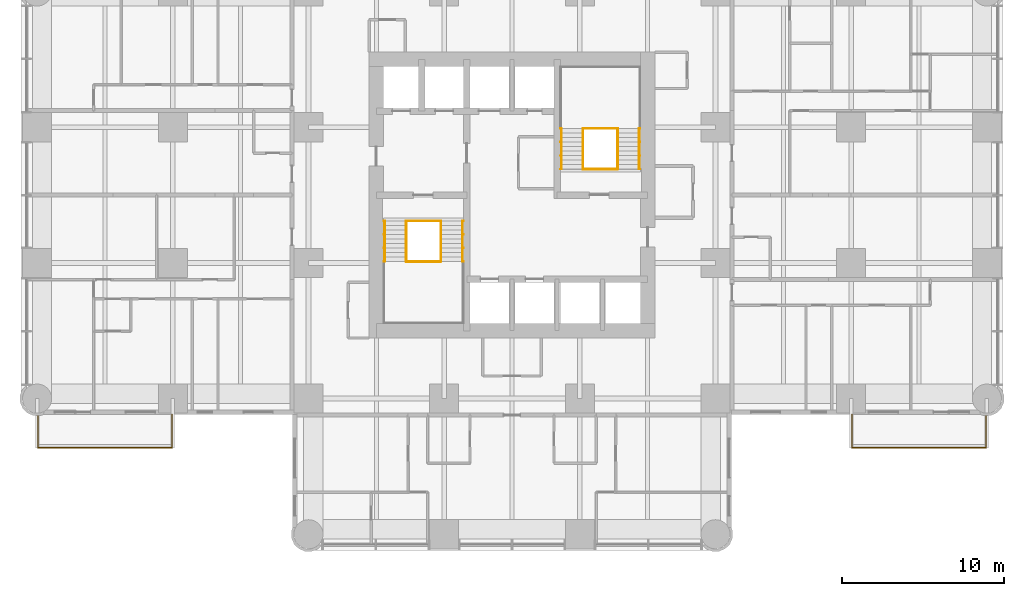
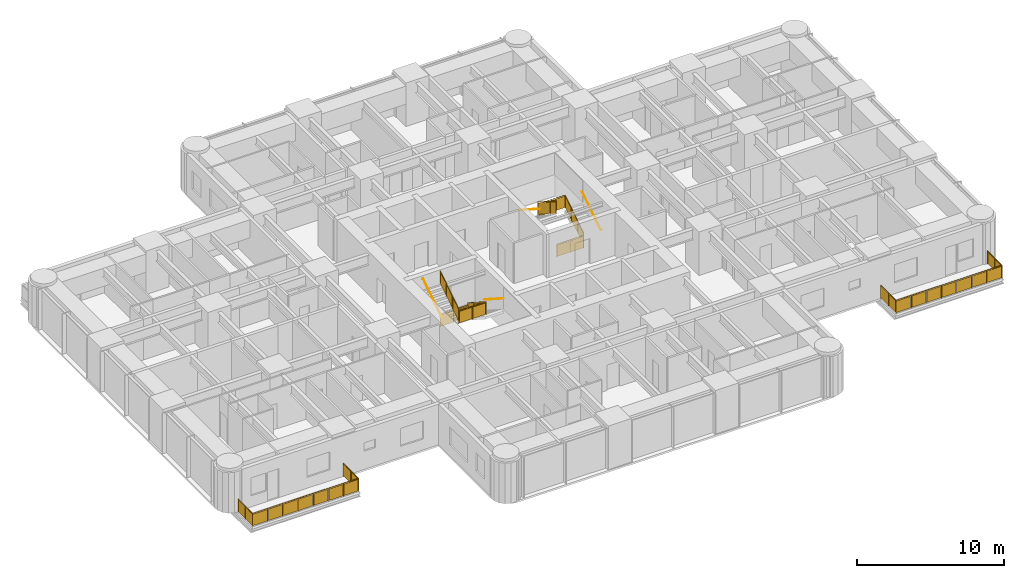
# One storey, part 13 of 14: 14 railings.
"""IFC4 building model written with IfcOpenShell, lengths in metres."""

from ifc_helpers import new_model, si_unit, direction, frame, origin, origin_2d, place, context, subcontext, project, spatial, polyline, circle, outline, extrude, material, constituent, constituent_set, type_object, element, save


model = new_model("IFC4")

# Units and contexts
model_context = context("Model", 3, precision=1e-05, world=origin(), true_north=direction((0.0, 1.0)))
body_context = subcontext(model_context, "Body", "Model", "MODEL_VIEW")
ifc_project = project(units=[si_unit("LENGTHUNIT", "METRE"), si_unit("AREAUNIT", "SQUARE_METRE"), si_unit("VOLUMEUNIT", "CUBIC_METRE"), si_unit("PLANEANGLEUNIT", "RADIAN"), si_unit("MASSUNIT", "GRAM", prefix="KILO")], contexts=[model_context])

# Site, building, storey
site_placement = place(None, origin())
site = spatial("IfcSite", under=ifc_project, at=site_placement, CompositionType="ELEMENT")
building_placement = place(site_placement, origin())
building = spatial("IfcBuilding", under=site, at=building_placement, Name="Torre Alcanfor", CompositionType="ELEMENT")
storey_placement = place(building_placement, frame((0.0, 0.0, 173.699951171875)))
storey = spatial("IfcBuildingStorey", under=building, at=storey_placement, Name="L45", CompositionType="ELEMENT", Elevation=173.699951171875)

# Railings
ifc_material_1 = material(Name="Laminated safety glass", Category="glass")
ifc_constituent_1 = constituent(ifc_material_1, Name="Infill")
ifc_material_2 = material(Name="Stainless steel ASTM A554 Grade MT 316L tube", Category="steel")
ifc_constituent_2 = constituent(ifc_material_2, Name="Posts and rail")
ifc_constituent_set = constituent_set(constituents=[ifc_constituent_1, ifc_constituent_2], Name="Balcony guard glass 1100")
railing_type_1 = type_object("IfcRailingType", Name="Balcony guard glass 1100", PredefinedType="BALUSTRADE", material=ifc_constituent_set)
railing_1_placement = place(storey_placement, frame((50.449951171875, 15.800048828125, 0.0)))
element("IfcRailing", 1, at=railing_1_placement, inside=storey, type_object=railing_type_1, Name="Balcony guard L45-E2", PredefinedType="BALUSTRADE", context=body_context, shape_type="SweptSolid", body=[
    extrude(circle(Radius=0.02392578125, at=origin_2d()), frame((0.0, 0.0, 1.076171875), z_axis=(0.0, -1.0, 0.0), x_axis=(1.0, 0.0, 0.0)), (0.0, 0.0, 1.0), 2.050048828125),
    extrude(circle(Radius=0.02392578125, at=origin_2d()), frame((0.0, -2.050048828125, 1.076171875), z_axis=(1.0, 0.0, 0.0), x_axis=(0.0, 1.0, 0.0)), (0.0, 0.0, 1.0), 8.300048828125),
    extrude(circle(Radius=0.02392578125, at=origin_2d()), frame((8.300048828125, -2.050048828125, 1.076171875), z_axis=(0.0, 1.0, 0.0), x_axis=(-1.0, 0.0, 0.0)), (0.0, 0.0, 1.0), 1.968994140625),
    extrude(circle(Radius=0.02099609375, at=origin_2d()), origin(), (0.0, 0.0, 1.0), 1.052001953125),
    extrude(circle(Radius=0.02099609375, at=origin_2d()), frame((0.0, -1.02490234375, 0.0)), (0.0, 0.0, 1.0), 1.052001953125),
    extrude(circle(Radius=0.02099609375, at=origin_2d()), frame((0.0, -2.050048828125, 0.0)), (0.0, 0.0, 1.0), 1.052001953125),
    extrude(circle(Radius=0.02099609375, at=origin_2d()), frame((1.185791015625, -2.050048828125, 0.0)), (0.0, 0.0, 1.0), 1.052001953125),
    extrude(circle(Radius=0.02099609375, at=origin_2d()), frame((2.371337890625, -2.050048828125, 0.0)), (0.0, 0.0, 1.0), 1.052001953125),
    extrude(circle(Radius=0.02099609375, at=origin_2d()), frame((3.55712890625, -2.050048828125, 0.0)), (0.0, 0.0, 1.0), 1.052001953125),
    extrude(circle(Radius=0.02099609375, at=origin_2d()), frame((4.742919921875, -2.050048828125, 0.0)), (0.0, 0.0, 1.0), 1.052001953125),
    extrude(circle(Radius=0.02099609375, at=origin_2d()), frame((5.9287109375, -2.050048828125, 0.0)), (0.0, 0.0, 1.0), 1.052001953125),
    extrude(circle(Radius=0.02099609375, at=origin_2d()), frame((7.1142578125, -2.050048828125, 0.0)), (0.0, 0.0, 1.0), 1.052001953125),
    extrude(circle(Radius=0.02099609375, at=origin_2d()), frame((8.300048828125, -2.050048828125, 0.0)), (0.0, 0.0, 1.0), 1.052001953125),
    extrude(circle(Radius=0.02099609375, at=origin_2d()), frame((8.300048828125, -1.0654296875, 0.0)), (0.0, 0.0, 1.0), 1.052001953125),
    extrude(circle(Radius=0.02099609375, at=origin_2d()), frame((8.300048828125, -0.0810546875, 0.0)), (0.0, 0.0, 1.0), 1.052001953125),
    extrude(outline(polyline([(0.041015625, 0.050048828125), (0.984130859375, 0.050048828125), (0.984130859375, 1.001953125), (0.041015625, 1.001953125), (0.041015625, 0.050048828125)])), frame((0.005859375, 0.0, 0.0), z_axis=(-1.0, 0.0, 0.0), x_axis=(0.0, -1.0, 0.0)), (0.0, 0.0, 1.0), 0.011962890625),
    extrude(outline(polyline([(1.06591796875, 0.050048828125), (2.009033203125, 0.050048828125), (2.009033203125, 1.001953125), (1.06591796875, 1.001953125), (1.06591796875, 0.050048828125)])), frame((0.005859375, 0.0, 0.0), z_axis=(-1.0, 0.0, 0.0), x_axis=(0.0, -1.0, 0.0)), (0.0, 0.0, 1.0), 0.011962890625),
    extrude(outline(polyline([(0.041015625, 0.050048828125), (1.144775390625, 0.050048828125), (1.144775390625, 1.001953125), (0.041015625, 1.001953125), (0.041015625, 0.050048828125)])), frame((0.0, -2.0439453125, 0.0), z_axis=(0.0, -1.0, 0.0), x_axis=(1.0, 0.0, 0.0)), (0.0, 0.0, 1.0), 0.011962890625),
    extrude(outline(polyline([(1.226806640625, 0.050048828125), (2.330322265625, 0.050048828125), (2.330322265625, 1.001953125), (1.226806640625, 1.001953125), (1.226806640625, 0.050048828125)])), frame((0.0, -2.0439453125, 0.0), z_axis=(0.0, -1.0, 0.0), x_axis=(1.0, 0.0, 0.0)), (0.0, 0.0, 1.0), 0.011962890625),
    extrude(outline(polyline([(2.412353515625, 0.050048828125), (3.51611328125, 0.050048828125), (3.51611328125, 1.001953125), (2.412353515625, 1.001953125), (2.412353515625, 0.050048828125)])), frame((0.0, -2.0439453125, 0.0), z_axis=(0.0, -1.0, 0.0), x_axis=(1.0, 0.0, 0.0)), (0.0, 0.0, 1.0), 0.011962890625),
    extrude(outline(polyline([(3.59814453125, 0.050048828125), (4.701904296875, 0.050048828125), (4.701904296875, 1.001953125), (3.59814453125, 1.001953125), (3.59814453125, 0.050048828125)])), frame((0.0, -2.0439453125, 0.0), z_axis=(0.0, -1.0, 0.0), x_axis=(1.0, 0.0, 0.0)), (0.0, 0.0, 1.0), 0.011962890625),
    extrude(outline(polyline([(4.783935546875, 0.050048828125), (5.8876953125, 0.050048828125), (5.8876953125, 1.001953125), (4.783935546875, 1.001953125), (4.783935546875, 0.050048828125)])), frame((0.0, -2.0439453125, 0.0), z_axis=(0.0, -1.0, 0.0), x_axis=(1.0, 0.0, 0.0)), (0.0, 0.0, 1.0), 0.011962890625),
    extrude(outline(polyline([(5.9697265625, 0.050048828125), (7.0732421875, 0.050048828125), (7.0732421875, 1.001953125), (5.9697265625, 1.001953125), (5.9697265625, 0.050048828125)])), frame((0.0, -2.0439453125, 0.0), z_axis=(0.0, -1.0, 0.0), x_axis=(1.0, 0.0, 0.0)), (0.0, 0.0, 1.0), 0.011962890625),
    extrude(outline(polyline([(7.1552734375, 0.050048828125), (8.259033203125, 0.050048828125), (8.259033203125, 1.001953125), (7.1552734375, 1.001953125), (7.1552734375, 0.050048828125)])), frame((0.0, -2.0439453125, 0.0), z_axis=(0.0, -1.0, 0.0), x_axis=(1.0, 0.0, 0.0)), (0.0, 0.0, 1.0), 0.011962890625),
    extrude(outline(polyline([(0.041015625, 0.050048828125), (0.943603515625, 0.050048828125), (0.943603515625, 1.001953125), (0.041015625, 1.001953125), (0.041015625, 0.050048828125)])), frame((8.2939453125, -2.050048828125, 0.0), z_axis=(1.0, 0.0, 0.0), x_axis=(0.0, 1.0, 0.0)), (0.0, 0.0, 1.0), 0.011962890625),
    extrude(outline(polyline([(1.025390625, 0.050048828125), (1.927978515625, 0.050048828125), (1.927978515625, 1.001953125), (1.025390625, 1.001953125), (1.025390625, 0.050048828125)])), frame((8.2939453125, -2.050048828125, 0.0), z_axis=(1.0, 0.0, 0.0), x_axis=(0.0, 1.0, 0.0)), (0.0, 0.0, 1.0), 0.011962890625),
])
railing_2_placement = place(storey_placement, frame((8.35009765625, 15.800048828125, 0.0)))
element("IfcRailing", 2, at=railing_2_placement, inside=storey, type_object=railing_type_1, Name="Balcony guard L45-W1", PredefinedType="BALUSTRADE", context=body_context, shape_type="SweptSolid", body=[
    extrude(circle(Radius=0.02392578125, at=origin_2d()), frame((0.0, 0.0, 1.076171875), z_axis=(0.0, -1.0, 0.0), x_axis=(1.0, 0.0, 0.0)), (0.0, 0.0, 1.0), 2.050048828125),
    extrude(circle(Radius=0.02392578125, at=origin_2d()), frame((0.0, -2.050048828125, 1.076171875), z_axis=(-1.0, 0.0, 0.0), x_axis=(0.0, -1.0, 0.0)), (0.0, 0.0, 1.0), 8.300048828125),
    extrude(circle(Radius=0.02392578125, at=origin_2d()), frame((-8.300048828125, -2.050048828125, 1.076171875), z_axis=(0.0, 1.0, 0.0), x_axis=(-1.0, 0.0, 0.0)), (0.0, 0.0, 1.0), 1.968994140625),
    extrude(circle(Radius=0.02099609375, at=origin_2d()), origin(), (0.0, 0.0, 1.0), 1.052001953125),
    extrude(circle(Radius=0.02099609375, at=origin_2d()), frame((0.0, -1.02490234375, 0.0)), (0.0, 0.0, 1.0), 1.052001953125),
    extrude(circle(Radius=0.02099609375, at=origin_2d()), frame((0.0, -2.050048828125, 0.0)), (0.0, 0.0, 1.0), 1.052001953125),
    extrude(circle(Radius=0.02099609375, at=origin_2d()), frame((-1.185791015625, -2.050048828125, 0.0)), (0.0, 0.0, 1.0), 1.052001953125),
    extrude(circle(Radius=0.02099609375, at=origin_2d()), frame((-2.371337890625, -2.050048828125, 0.0)), (0.0, 0.0, 1.0), 1.052001953125),
    extrude(circle(Radius=0.02099609375, at=origin_2d()), frame((-3.55712890625, -2.050048828125, 0.0)), (0.0, 0.0, 1.0), 1.052001953125),
    extrude(circle(Radius=0.02099609375, at=origin_2d()), frame((-4.742919921875, -2.050048828125, 0.0)), (0.0, 0.0, 1.0), 1.052001953125),
    extrude(circle(Radius=0.02099609375, at=origin_2d()), frame((-5.9287109375, -2.050048828125, 0.0)), (0.0, 0.0, 1.0), 1.052001953125),
    extrude(circle(Radius=0.02099609375, at=origin_2d()), frame((-7.1142578125, -2.050048828125, 0.0)), (0.0, 0.0, 1.0), 1.052001953125),
    extrude(circle(Radius=0.02099609375, at=origin_2d()), frame((-8.300048828125, -2.050048828125, 0.0)), (0.0, 0.0, 1.0), 1.052001953125),
    extrude(circle(Radius=0.02099609375, at=origin_2d()), frame((-8.300048828125, -1.0654296875, 0.0)), (0.0, 0.0, 1.0), 1.052001953125),
    extrude(circle(Radius=0.02099609375, at=origin_2d()), frame((-8.300048828125, -0.0810546875, 0.0)), (0.0, 0.0, 1.0), 1.052001953125),
    extrude(outline(polyline([(0.041015625, 0.050048828125), (0.984130859375, 0.050048828125), (0.984130859375, 1.001953125), (0.041015625, 1.001953125), (0.041015625, 0.050048828125)])), frame((0.005859375, 0.0, 0.0), z_axis=(-1.0, 0.0, 0.0), x_axis=(0.0, -1.0, 0.0)), (0.0, 0.0, 1.0), 0.011962890625),
    extrude(outline(polyline([(1.06591796875, 0.050048828125), (2.009033203125, 0.050048828125), (2.009033203125, 1.001953125), (1.06591796875, 1.001953125), (1.06591796875, 0.050048828125)])), frame((0.005859375, 0.0, 0.0), z_axis=(-1.0, 0.0, 0.0), x_axis=(0.0, -1.0, 0.0)), (0.0, 0.0, 1.0), 0.011962890625),
    extrude(outline(polyline([(0.041015625, 0.050048828125), (1.144775390625, 0.050048828125), (1.144775390625, 1.001953125), (0.041015625, 1.001953125), (0.041015625, 0.050048828125)])), frame((0.0, -2.05615234375, 0.0), z_axis=(0.0, 1.0, 0.0), x_axis=(-1.0, 0.0, 0.0)), (0.0, 0.0, 1.0), 0.011962890625),
    extrude(outline(polyline([(1.226806640625, 0.050048828125), (2.330322265625, 0.050048828125), (2.330322265625, 1.001953125), (1.226806640625, 1.001953125), (1.226806640625, 0.050048828125)])), frame((0.0, -2.05615234375, 0.0), z_axis=(0.0, 1.0, 0.0), x_axis=(-1.0, 0.0, 0.0)), (0.0, 0.0, 1.0), 0.011962890625),
    extrude(outline(polyline([(2.412353515625, 0.050048828125), (3.51611328125, 0.050048828125), (3.51611328125, 1.001953125), (2.412353515625, 1.001953125), (2.412353515625, 0.050048828125)])), frame((0.0, -2.05615234375, 0.0), z_axis=(0.0, 1.0, 0.0), x_axis=(-1.0, 0.0, 0.0)), (0.0, 0.0, 1.0), 0.011962890625),
    extrude(outline(polyline([(3.59814453125, 0.050048828125), (4.701904296875, 0.050048828125), (4.701904296875, 1.001953125), (3.59814453125, 1.001953125), (3.59814453125, 0.050048828125)])), frame((0.0, -2.05615234375, 0.0), z_axis=(0.0, 1.0, 0.0), x_axis=(-1.0, 0.0, 0.0)), (0.0, 0.0, 1.0), 0.011962890625),
    extrude(outline(polyline([(4.783935546875, 0.050048828125), (5.8876953125, 0.050048828125), (5.8876953125, 1.001953125), (4.783935546875, 1.001953125), (4.783935546875, 0.050048828125)])), frame((0.0, -2.05615234375, 0.0), z_axis=(0.0, 1.0, 0.0), x_axis=(-1.0, 0.0, 0.0)), (0.0, 0.0, 1.0), 0.011962890625),
    extrude(outline(polyline([(5.9697265625, 0.050048828125), (7.0732421875, 0.050048828125), (7.0732421875, 1.001953125), (5.9697265625, 1.001953125), (5.9697265625, 0.050048828125)])), frame((0.0, -2.05615234375, 0.0), z_axis=(0.0, 1.0, 0.0), x_axis=(-1.0, 0.0, 0.0)), (0.0, 0.0, 1.0), 0.011962890625),
    extrude(outline(polyline([(7.1552734375, 0.050048828125), (8.259033203125, 0.050048828125), (8.259033203125, 1.001953125), (7.1552734375, 1.001953125), (7.1552734375, 0.050048828125)])), frame((0.0, -2.05615234375, 0.0), z_axis=(0.0, 1.0, 0.0), x_axis=(-1.0, 0.0, 0.0)), (0.0, 0.0, 1.0), 0.011962890625),
    extrude(outline(polyline([(0.041015625, 0.050048828125), (0.943603515625, 0.050048828125), (0.943603515625, 1.001953125), (0.041015625, 1.001953125), (0.041015625, 0.050048828125)])), frame((-8.30615234375, -2.050048828125, 0.0), z_axis=(1.0, 0.0, 0.0), x_axis=(0.0, 1.0, 0.0)), (0.0, 0.0, 1.0), 0.011962890625),
    extrude(outline(polyline([(1.025390625, 0.050048828125), (1.927978515625, 0.050048828125), (1.927978515625, 1.001953125), (1.025390625, 1.001953125), (1.025390625, 0.050048828125)])), frame((-8.30615234375, -2.050048828125, 0.0), z_axis=(1.0, 0.0, 0.0), x_axis=(0.0, 1.0, 0.0)), (0.0, 0.0, 1.0), 0.011962890625),
])
ifc_material_3 = material(Name="Steel ASTM A500 Grade C hollow sections", Category="steel")
railing_type_2 = type_object("IfcRailingType", Name="Stair guard and handrail 1100", PredefinedType="GUARDRAIL", material=ifc_material_3)
railing_3_placement = place(storey_placement, frame((25.0, 27.800048828125, 0.179931640625)))
element("IfcRailing", 3, at=railing_3_placement, inside=storey, type_object=railing_type_2, Name="Stair guard S1 L45 flight 1", PredefinedType="GUARDRAIL", context=body_context, shape_type="SweptSolid", body=[
    extrude(circle(Radius=0.02392578125, at=origin_2d()), frame((0.0, 0.0, 1.076171875), z_axis=(0.0, -0.841162588446, 0.540782303519), x_axis=(1.0, 0.0, 0.0)), (0.0, 0.0, 1.0), 2.995849609375),
    extrude(circle(Radius=0.02099609375, at=origin_2d()), origin(), (0.0, 0.0, 1.0), 1.052001953125),
    extrude(circle(Radius=0.02099609375, at=origin_2d()), frame((0.0, -0.840087890625, 0.5400390625)), (0.0, 0.0, 1.0), 1.052001953125),
    extrude(circle(Radius=0.02099609375, at=origin_2d()), frame((0.0, -1.679931640625, 1.080078125)), (0.0, 0.0, 1.0), 1.052001953125),
    extrude(circle(Radius=0.02099609375, at=origin_2d()), frame((0.0, -2.52001953125, 1.6201171875)), (0.0, 0.0, 1.0), 1.052001953125),
    extrude(outline(polyline([(0.041015625, 0.076416015625), (0.799072265625, 0.563720703125), (0.799072265625, 1.515625), (0.041015625, 1.0283203125), (0.041015625, 0.076416015625)])), frame((0.005859375, 0.0, 0.0), z_axis=(-1.0, 0.0, 0.0), x_axis=(0.0, -1.0, 0.0)), (0.0, 0.0, 1.0), 0.011962890625),
    extrude(outline(polyline([(0.881103515625, 0.616455078125), (1.638916015625, 1.103759765625), (1.638916015625, 2.0556640625), (0.881103515625, 1.568359375), (0.881103515625, 0.616455078125)])), frame((0.005859375, 0.0, 0.0), z_axis=(-1.0, 0.0, 0.0), x_axis=(0.0, -1.0, 0.0)), (0.0, 0.0, 1.0), 0.011962890625),
    extrude(outline(polyline([(1.720947265625, 1.156494140625), (2.47900390625, 1.643798828125), (2.47900390625, 2.595703125), (1.720947265625, 2.1083984375), (1.720947265625, 1.156494140625)])), frame((0.005859375, 0.0, 0.0), z_axis=(-1.0, 0.0, 0.0), x_axis=(0.0, -1.0, 0.0)), (0.0, 0.0, 1.0), 0.011962890625),
])
railing_4_placement = place(storey_placement, frame((22.85009765625, 25.280029296875, 1.97998046875)))
element("IfcRailing", 4, at=railing_4_placement, inside=storey, type_object=railing_type_2, Name="Stair guard S1 L45 flight 2", PredefinedType="GUARDRAIL", context=body_context, shape_type="SweptSolid", body=[
    extrude(circle(Radius=0.02392578125, at=origin_2d()), frame((0.0, 0.0, 1.076171875), z_axis=(0.0, 0.841162588446, 0.540782303519), x_axis=(-1.0, 0.0, 0.0)), (0.0, 0.0, 1.0), 2.995849609375),
    extrude(circle(Radius=0.02099609375, at=origin_2d()), origin(), (0.0, 0.0, 1.0), 1.052001953125),
    extrude(circle(Radius=0.02099609375, at=origin_2d()), frame((0.0, 0.840087890625, 0.5400390625)), (0.0, 0.0, 1.0), 1.052001953125),
    extrude(circle(Radius=0.02099609375, at=origin_2d()), frame((0.0, 1.679931640625, 1.080078125)), (0.0, 0.0, 1.0), 1.052001953125),
    extrude(circle(Radius=0.02099609375, at=origin_2d()), frame((0.0, 2.52001953125, 1.6201171875)), (0.0, 0.0, 1.0), 1.052001953125),
    extrude(outline(polyline([(0.041015625, 0.076416015625), (0.799072265625, 0.563720703125), (0.799072265625, 1.515625), (0.041015625, 1.0283203125), (0.041015625, 0.076416015625)])), frame((-0.005859375, 0.0, 0.0), z_axis=(1.0, 0.0, 0.0), x_axis=(0.0, 1.0, 0.0)), (0.0, 0.0, 1.0), 0.011962890625),
    extrude(outline(polyline([(0.881103515625, 0.616455078125), (1.638916015625, 1.103759765625), (1.638916015625, 2.0556640625), (0.881103515625, 1.568359375), (0.881103515625, 0.616455078125)])), frame((-0.005859375, 0.0, 0.0), z_axis=(1.0, 0.0, 0.0), x_axis=(0.0, 1.0, 0.0)), (0.0, 0.0, 1.0), 0.011962890625),
    extrude(outline(polyline([(1.720947265625, 1.156494140625), (2.47900390625, 1.643798828125), (2.47900390625, 2.595703125), (1.720947265625, 2.1083984375), (1.720947265625, 1.156494140625)])), frame((-0.005859375, 0.0, 0.0), z_axis=(1.0, 0.0, 0.0), x_axis=(0.0, 1.0, 0.0)), (0.0, 0.0, 1.0), 0.011962890625),
])
for number, where, name in (
    (5, (22.85009765625, 27.800048828125, 0.0), "Stair well guard S1 L45 floor landing"),
    (6, (22.85009765625, 25.280029296875, 1.800048828125), "Stair well guard S1 L45 half landing"),
):
    element("IfcRailing", number, at=place(storey_placement, frame(where)), inside=storey, type_object=railing_type_2, Name=name, PredefinedType="GUARDRAIL", context=body_context, shape_type="SweptSolid", body=[
        extrude(circle(Radius=0.02392578125, at=origin_2d()), frame((0.0, 0.0, 1.076171875), z_axis=(1.0, 0.0, 0.0), x_axis=(0.0, 1.0, 0.0)), (0.0, 0.0, 1.0), 2.14990234375),
        extrude(circle(Radius=0.02099609375, at=origin_2d()), origin(), (0.0, 0.0, 1.0), 1.052001953125),
        extrude(circle(Radius=0.02099609375, at=origin_2d()), frame((1.074951171875, 0.0, 0.0)), (0.0, 0.0, 1.0), 1.052001953125),
        extrude(circle(Radius=0.02099609375, at=origin_2d()), frame((2.14990234375, 0.0, 0.0)), (0.0, 0.0, 1.0), 1.052001953125),
        extrude(outline(polyline([(0.041015625, 0.050048828125), (1.033935546875, 0.050048828125), (1.033935546875, 1.001953125), (0.041015625, 1.001953125), (0.041015625, 0.050048828125)])), frame((0.0, 0.005859375, 0.0), z_axis=(0.0, -1.0, 0.0), x_axis=(1.0, 0.0, 0.0)), (0.0, 0.0, 1.0), 0.011962890625),
        extrude(outline(polyline([(1.115966796875, 0.050048828125), (2.10888671875, 0.050048828125), (2.10888671875, 1.001953125), (1.115966796875, 1.001953125), (1.115966796875, 0.050048828125)])), frame((0.0, 0.005859375, 0.0), z_axis=(0.0, -1.0, 0.0), x_axis=(1.0, 0.0, 0.0)), (0.0, 0.0, 1.0), 0.011962890625),
    ])
railing_5_placement = place(storey_placement, frame((35.949951171875, 31.0, 0.179931640625)))
element("IfcRailing", 7, at=railing_5_placement, inside=storey, type_object=railing_type_2, Name="Stair guard S2 L45 flight 1", PredefinedType="GUARDRAIL", context=body_context, shape_type="SweptSolid", body=[
    extrude(circle(Radius=0.02392578125, at=origin_2d()), frame((0.0, 0.0, 1.076171875), z_axis=(0.0, 0.841162588446, 0.540782303519), x_axis=(-1.0, 0.0, 0.0)), (0.0, 0.0, 1.0), 2.995849609375),
    extrude(circle(Radius=0.02099609375, at=origin_2d()), origin(), (0.0, 0.0, 1.0), 1.052001953125),
    extrude(circle(Radius=0.02099609375, at=origin_2d()), frame((0.0, 0.840087890625, 0.5400390625)), (0.0, 0.0, 1.0), 1.052001953125),
    extrude(circle(Radius=0.02099609375, at=origin_2d()), frame((0.0, 1.679931640625, 1.080078125)), (0.0, 0.0, 1.0), 1.052001953125),
    extrude(circle(Radius=0.02099609375, at=origin_2d()), frame((0.0, 2.52001953125, 1.6201171875)), (0.0, 0.0, 1.0), 1.052001953125),
    extrude(outline(polyline([(0.041015625, 0.076416015625), (0.799072265625, 0.563720703125), (0.799072265625, 1.515625), (0.041015625, 1.0283203125), (0.041015625, 0.076416015625)])), frame((-0.005859375, 0.0, 0.0), z_axis=(1.0, 0.0, 0.0), x_axis=(0.0, 1.0, 0.0)), (0.0, 0.0, 1.0), 0.011962890625),
    extrude(outline(polyline([(0.881103515625, 0.616455078125), (1.638916015625, 1.103759765625), (1.638916015625, 2.0556640625), (0.881103515625, 1.568359375), (0.881103515625, 0.616455078125)])), frame((-0.005859375, 0.0, 0.0), z_axis=(1.0, 0.0, 0.0), x_axis=(0.0, 1.0, 0.0)), (0.0, 0.0, 1.0), 0.011962890625),
    extrude(outline(polyline([(1.720947265625, 1.156494140625), (2.47900390625, 1.643798828125), (2.47900390625, 2.595703125), (1.720947265625, 2.1083984375), (1.720947265625, 1.156494140625)])), frame((-0.005859375, 0.0, 0.0), z_axis=(1.0, 0.0, 0.0), x_axis=(0.0, 1.0, 0.0)), (0.0, 0.0, 1.0), 0.011962890625),
])
railing_6_placement = place(storey_placement, frame((33.800048828125, 33.52001953125, 1.97998046875)))
element("IfcRailing", 8, at=railing_6_placement, inside=storey, type_object=railing_type_2, Name="Stair guard S2 L45 flight 2", PredefinedType="GUARDRAIL", context=body_context, shape_type="SweptSolid", body=[
    extrude(circle(Radius=0.02392578125, at=origin_2d()), frame((0.0, 0.0, 1.076171875), z_axis=(0.0, -0.841162588446, 0.540782303519), x_axis=(1.0, 0.0, 0.0)), (0.0, 0.0, 1.0), 2.995849609375),
    extrude(circle(Radius=0.02099609375, at=origin_2d()), origin(), (0.0, 0.0, 1.0), 1.052001953125),
    extrude(circle(Radius=0.02099609375, at=origin_2d()), frame((0.0, -0.840087890625, 0.5400390625)), (0.0, 0.0, 1.0), 1.052001953125),
    extrude(circle(Radius=0.02099609375, at=origin_2d()), frame((0.0, -1.679931640625, 1.080078125)), (0.0, 0.0, 1.0), 1.052001953125),
    extrude(circle(Radius=0.02099609375, at=origin_2d()), frame((0.0, -2.52001953125, 1.6201171875)), (0.0, 0.0, 1.0), 1.052001953125),
    extrude(outline(polyline([(0.041015625, 0.076416015625), (0.799072265625, 0.563720703125), (0.799072265625, 1.515625), (0.041015625, 1.0283203125), (0.041015625, 0.076416015625)])), frame((0.005859375, 0.0, 0.0), z_axis=(-1.0, 0.0, 0.0), x_axis=(0.0, -1.0, 0.0)), (0.0, 0.0, 1.0), 0.011962890625),
    extrude(outline(polyline([(0.881103515625, 0.616455078125), (1.638916015625, 1.103759765625), (1.638916015625, 2.0556640625), (0.881103515625, 1.568359375), (0.881103515625, 0.616455078125)])), frame((0.005859375, 0.0, 0.0), z_axis=(-1.0, 0.0, 0.0), x_axis=(0.0, -1.0, 0.0)), (0.0, 0.0, 1.0), 0.011962890625),
    extrude(outline(polyline([(1.720947265625, 1.156494140625), (2.47900390625, 1.643798828125), (2.47900390625, 2.595703125), (1.720947265625, 2.1083984375), (1.720947265625, 1.156494140625)])), frame((0.005859375, 0.0, 0.0), z_axis=(-1.0, 0.0, 0.0), x_axis=(0.0, -1.0, 0.0)), (0.0, 0.0, 1.0), 0.011962890625),
])
for number, where, name in (
    (9, (33.800048828125, 31.0, 0.0), "Stair well guard S2 L45 floor landing"),
    (10, (33.800048828125, 33.52001953125, 1.800048828125), "Stair well guard S2 L45 half landing"),
):
    element("IfcRailing", number, at=place(storey_placement, frame(where)), inside=storey, type_object=railing_type_2, Name=name, PredefinedType="GUARDRAIL", context=body_context, shape_type="SweptSolid", body=[
        extrude(circle(Radius=0.02392578125, at=origin_2d()), frame((0.0, 0.0, 1.076171875), z_axis=(1.0, 0.0, 0.0), x_axis=(0.0, 1.0, 0.0)), (0.0, 0.0, 1.0), 2.14990234375),
        extrude(circle(Radius=0.02099609375, at=origin_2d()), origin(), (0.0, 0.0, 1.0), 1.052001953125),
        extrude(circle(Radius=0.02099609375, at=origin_2d()), frame((1.074951171875, 0.0, 0.0)), (0.0, 0.0, 1.0), 1.052001953125),
        extrude(circle(Radius=0.02099609375, at=origin_2d()), frame((2.14990234375, 0.0, 0.0)), (0.0, 0.0, 1.0), 1.052001953125),
        extrude(outline(polyline([(0.041015625, 0.050048828125), (1.033935546875, 0.050048828125), (1.033935546875, 1.001953125), (0.041015625, 1.001953125), (0.041015625, 0.050048828125)])), frame((0.0, 0.005859375, 0.0), z_axis=(0.0, -1.0, 0.0), x_axis=(1.0, 0.0, 0.0)), (0.0, 0.0, 1.0), 0.011962890625),
        extrude(outline(polyline([(1.115966796875, 0.050048828125), (2.10888671875, 0.050048828125), (2.10888671875, 1.001953125), (1.115966796875, 1.001953125), (1.115966796875, 0.050048828125)])), frame((0.0, 0.005859375, 0.0), z_axis=(0.0, -1.0, 0.0), x_axis=(1.0, 0.0, 0.0)), (0.0, 0.0, 1.0), 0.011962890625),
    ])
ifc_material_4 = material(Name="Steel ASTM A500 Grade C hollow sections", Category="steel")
railing_type_3 = type_object("IfcRailingType", Name="Stair wall handrail 900", PredefinedType="HANDRAIL", material=ifc_material_4)
railing_7_placement = place(storey_placement, frame((26.3349609375, 27.800048828125, 0.179931640625)))
element("IfcRailing", 11, at=railing_7_placement, inside=storey, type_object=railing_type_3, Name="Stair handrail S1 L45 flight 1", PredefinedType="HANDRAIL", context=body_context, shape_type="SweptSolid", body=[
    extrude(circle(Radius=0.02392578125, at=origin_2d()), frame((0.0, 0.0, 0.8759765625), z_axis=(0.0, -0.841162588446, 0.540782303519), x_axis=(1.0, 0.0, 0.0)), (0.0, 0.0, 1.0), 2.995849609375),
    extrude(circle(Radius=0.008056640625, at=origin_2d()), frame((0.0, 0.0, 0.8759765625), z_axis=(1.0, 0.0, 0.0), x_axis=(0.0, 0.0, 1.0)), (0.0, 0.0, 1.0), 0.06494140625),
    extrude(circle(Radius=0.008056640625, at=origin_2d()), frame((0.0, -0.840087890625, 1.416015625), z_axis=(1.0, 0.0, 0.0), x_axis=(0.0, 0.0, 1.0)), (0.0, 0.0, 1.0), 0.06494140625),
    extrude(circle(Radius=0.008056640625, at=origin_2d()), frame((0.0, -1.679931640625, 1.9560546875), z_axis=(1.0, 0.0, 0.0), x_axis=(0.0, 0.0, 1.0)), (0.0, 0.0, 1.0), 0.06494140625),
    extrude(circle(Radius=0.008056640625, at=origin_2d()), frame((0.0, -2.52001953125, 2.49609375), z_axis=(1.0, 0.0, 0.0), x_axis=(0.0, 0.0, 1.0)), (0.0, 0.0, 1.0), 0.06494140625),
])
railing_8_placement = place(storey_placement, frame((21.514892578125, 25.280029296875, 1.97998046875)))
element("IfcRailing", 12, at=railing_8_placement, inside=storey, type_object=railing_type_3, Name="Stair handrail S1 L45 flight 2", PredefinedType="HANDRAIL", context=body_context, shape_type="SweptSolid", body=[
    extrude(circle(Radius=0.02392578125, at=origin_2d()), frame((0.0, 0.0, 0.8759765625), z_axis=(0.0, 0.841162588446, 0.540782303519), x_axis=(-1.0, 0.0, 0.0)), (0.0, 0.0, 1.0), 2.995849609375),
    extrude(circle(Radius=0.008056640625, at=origin_2d()), frame((0.0, 0.0, 0.8759765625), z_axis=(-1.0, 0.0, 0.0), x_axis=(0.0, 0.0, 1.0)), (0.0, 0.0, 1.0), 0.06494140625),
    extrude(circle(Radius=0.008056640625, at=origin_2d()), frame((0.0, 0.840087890625, 1.416015625), z_axis=(-1.0, 0.0, 0.0), x_axis=(0.0, 0.0, 1.0)), (0.0, 0.0, 1.0), 0.06494140625),
    extrude(circle(Radius=0.008056640625, at=origin_2d()), frame((0.0, 1.679931640625, 1.9560546875), z_axis=(-1.0, 0.0, 0.0), x_axis=(0.0, 0.0, 1.0)), (0.0, 0.0, 1.0), 0.06494140625),
    extrude(circle(Radius=0.008056640625, at=origin_2d()), frame((0.0, 2.52001953125, 2.49609375), z_axis=(-1.0, 0.0, 0.0), x_axis=(0.0, 0.0, 1.0)), (0.0, 0.0, 1.0), 0.06494140625),
])
railing_9_placement = place(storey_placement, frame((37.284912109375, 31.0, 0.179931640625)))
element("IfcRailing", 13, at=railing_9_placement, inside=storey, type_object=railing_type_3, Name="Stair handrail S2 L45 flight 1", PredefinedType="HANDRAIL", context=body_context, shape_type="SweptSolid", body=[
    extrude(circle(Radius=0.02392578125, at=origin_2d()), frame((0.0, 0.0, 0.8759765625), z_axis=(0.0, 0.841162588446, 0.540782303519), x_axis=(-1.0, 0.0, 0.0)), (0.0, 0.0, 1.0), 2.995849609375),
    extrude(circle(Radius=0.008056640625, at=origin_2d()), frame((0.0, 0.0, 0.8759765625), z_axis=(1.0, 0.0, 0.0), x_axis=(0.0, 0.0, 1.0)), (0.0, 0.0, 1.0), 0.06494140625),
    extrude(circle(Radius=0.008056640625, at=origin_2d()), frame((0.0, 0.840087890625, 1.416015625), z_axis=(1.0, 0.0, 0.0), x_axis=(0.0, 0.0, 1.0)), (0.0, 0.0, 1.0), 0.06494140625),
    extrude(circle(Radius=0.008056640625, at=origin_2d()), frame((0.0, 1.679931640625, 1.9560546875), z_axis=(1.0, 0.0, 0.0), x_axis=(0.0, 0.0, 1.0)), (0.0, 0.0, 1.0), 0.06494140625),
    extrude(circle(Radius=0.008056640625, at=origin_2d()), frame((0.0, 2.52001953125, 2.49609375), z_axis=(1.0, 0.0, 0.0), x_axis=(0.0, 0.0, 1.0)), (0.0, 0.0, 1.0), 0.06494140625),
])
railing_10_placement = place(storey_placement, frame((32.465087890625, 33.52001953125, 1.97998046875)))
element("IfcRailing", 14, at=railing_10_placement, inside=storey, type_object=railing_type_3, Name="Stair handrail S2 L45 flight 2", PredefinedType="HANDRAIL", context=body_context, shape_type="SweptSolid", body=[
    extrude(circle(Radius=0.02392578125, at=origin_2d()), frame((0.0, 0.0, 0.8759765625), z_axis=(0.0, -0.841162588446, 0.540782303519), x_axis=(1.0, 0.0, 0.0)), (0.0, 0.0, 1.0), 2.995849609375),
    extrude(circle(Radius=0.008056640625, at=origin_2d()), frame((0.0, 0.0, 0.8759765625), z_axis=(-1.0, 0.0, 0.0), x_axis=(0.0, 0.0, 1.0)), (0.0, 0.0, 1.0), 0.06494140625),
    extrude(circle(Radius=0.008056640625, at=origin_2d()), frame((0.0, -0.840087890625, 1.416015625), z_axis=(-1.0, 0.0, 0.0), x_axis=(0.0, 0.0, 1.0)), (0.0, 0.0, 1.0), 0.06494140625),
    extrude(circle(Radius=0.008056640625, at=origin_2d()), frame((0.0, -1.679931640625, 1.9560546875), z_axis=(-1.0, 0.0, 0.0), x_axis=(0.0, 0.0, 1.0)), (0.0, 0.0, 1.0), 0.06494140625),
    extrude(circle(Radius=0.008056640625, at=origin_2d()), frame((0.0, -2.52001953125, 2.49609375), z_axis=(-1.0, 0.0, 0.0), x_axis=(0.0, 0.0, 1.0)), (0.0, 0.0, 1.0), 0.06494140625),
])

save(model, "model.ifc")
